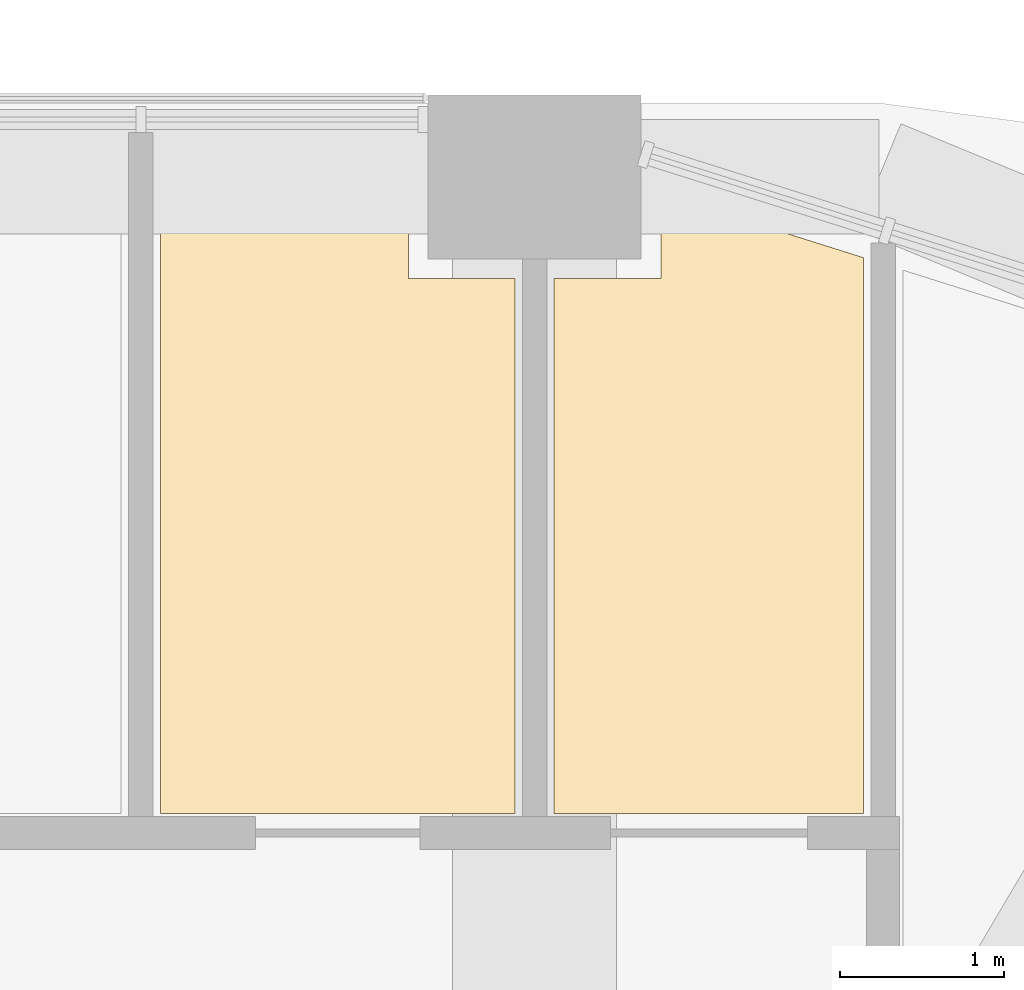
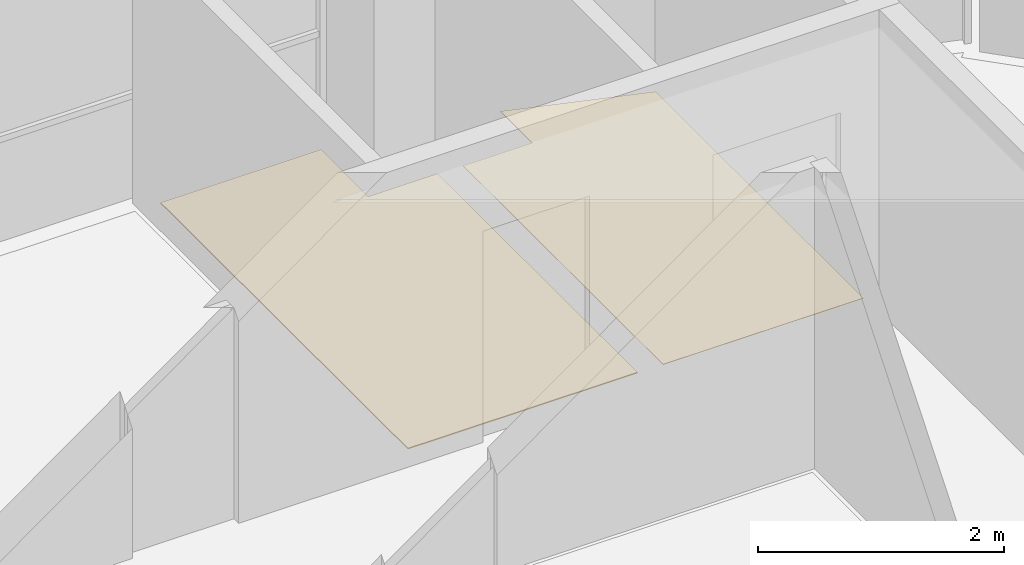
# One storey, part 19 of 20: 2 coverings.
"""IFC4 building model written with IfcOpenShell, lengths in metres."""

from ifc_helpers import new_model, si_unit, direction, frame, origin, place, context, subcontext, project, spatial, polyline, outline, extrude, material, layer, layer_set, type_object, element, save


model = new_model("IFC4")

# Units and contexts
model_context = context("Model", 3, precision=1e-05, world=origin(), true_north=direction((0.0, 1.0)))
body_context = subcontext(model_context, "Body", "Model", "MODEL_VIEW")
ifc_project = project(units=[si_unit("LENGTHUNIT", "METRE"), si_unit("AREAUNIT", "SQUARE_METRE"), si_unit("VOLUMEUNIT", "CUBIC_METRE"), si_unit("PLANEANGLEUNIT", "RADIAN"), si_unit("MASSUNIT", "GRAM", prefix="KILO")], contexts=[model_context])

# Site, building, storey
site_placement = place(None, origin())
site = spatial("IfcSite", under=ifc_project, at=site_placement, CompositionType="ELEMENT")
building_placement = place(site_placement, origin())
building = spatial("IfcBuilding", under=site, at=building_placement, Name="Cobogo Forest Laboratory Tower", CompositionType="ELEMENT")
storey_placement = place(building_placement, frame((0.0, 0.0, 254.39990234375)))
storey = spatial("IfcBuildingStorey", under=building, at=storey_placement, Name="L58", CompositionType="ELEMENT", Elevation=254.39990234375)

# Coverings
ifc_material_1 = material(Name="Epoxy resin flooring", Category="flooring")
ifc_layer_1 = layer(ifc_material_1, 0.00390625)
ifc_layer_set_1 = layer_set([ifc_layer_1], Name="LF1 epoxy laboratory floor 4")
covering_type_1 = type_object("IfcCoveringType", Name="LF1 epoxy laboratory floor 4", PredefinedType="FLOORING", material=ifc_layer_set_1)
covering_1_placement = place(storey_placement, origin())
element("IfcCovering", 1, at=covering_1_placement, inside=storey, type_object=covering_type_1, Name="Epoxy laboratory floor L58-22", PredefinedType="FLOORING", context=body_context, shape_type="SweptSolid", body=[
    extrude(outline(polyline([(39.719970703125, 39.02001953125), (39.719970703125, 42.280029296875), (40.3701171875, 42.280029296875), (40.3701171875, 42.797119140625), (41.60498046875, 42.406982421875), (41.60498046875, 39.02001953125), (39.719970703125, 39.02001953125)])), origin(), (0.0, 0.0, 1.0), 0.004150390625),
])
ifc_material_2 = material(Name="Ceramic floor tile", Category="flooring")
ifc_layer_2 = layer(ifc_material_2, 0.010009765625)
ifc_layer_set_2 = layer_set([ifc_layer_2], Name="TF1 ceramic tile floor 10")
covering_type_2 = type_object("IfcCoveringType", Name="TF1 ceramic tile floor 10", PredefinedType="FLOORING", material=ifc_layer_set_2)
covering_2_placement = place(storey_placement, origin())
element("IfcCovering", 2, at=covering_2_placement, inside=storey, type_object=covering_type_2, Name="Tile floor L58-21", PredefinedType="FLOORING", context=body_context, shape_type="SweptSolid", body=[
    extrude(outline(polyline([(37.320068359375, 39.02001953125), (37.320068359375, 43.050048828125), (38.830078125, 43.050048828125), (38.830078125, 42.280029296875), (39.47998046875, 42.280029296875), (39.47998046875, 39.02001953125), (37.320068359375, 39.02001953125)])), origin(), (0.0, 0.0, 1.0), 0.010009765625),
])

save(model, "model.ifc")
